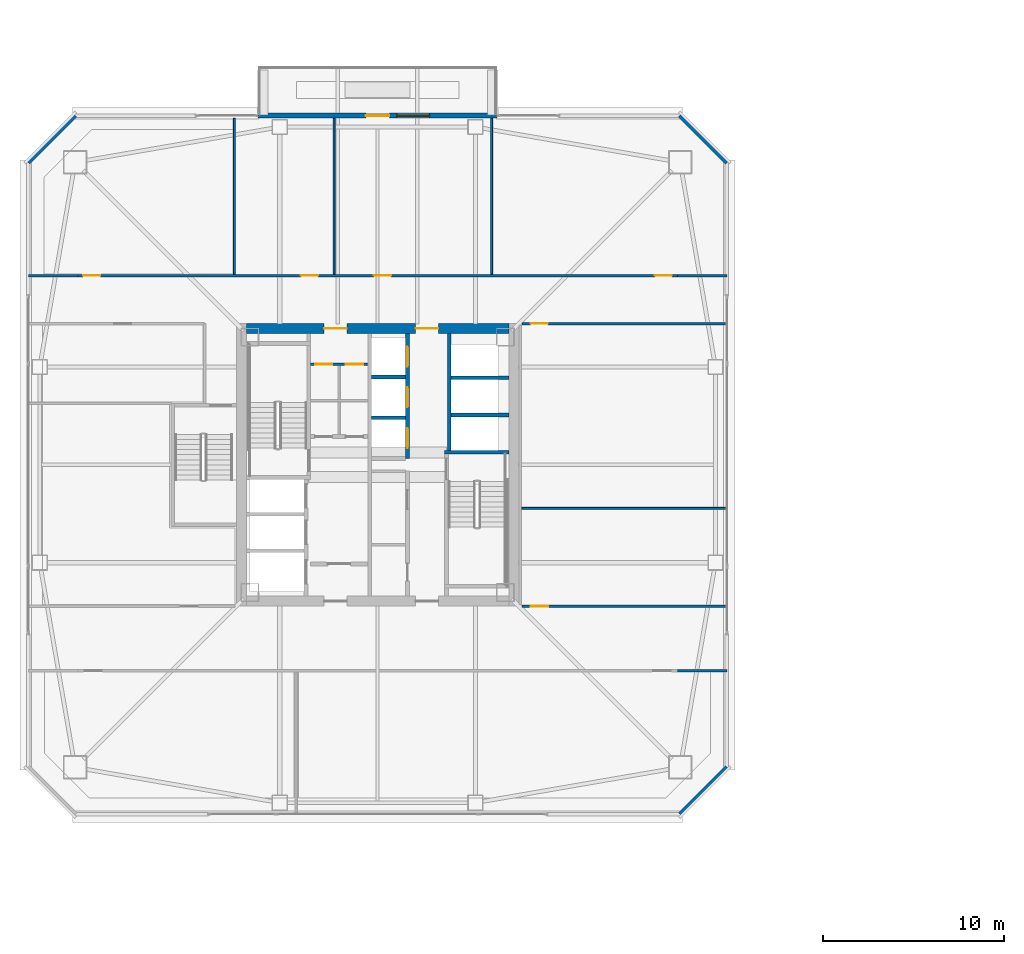
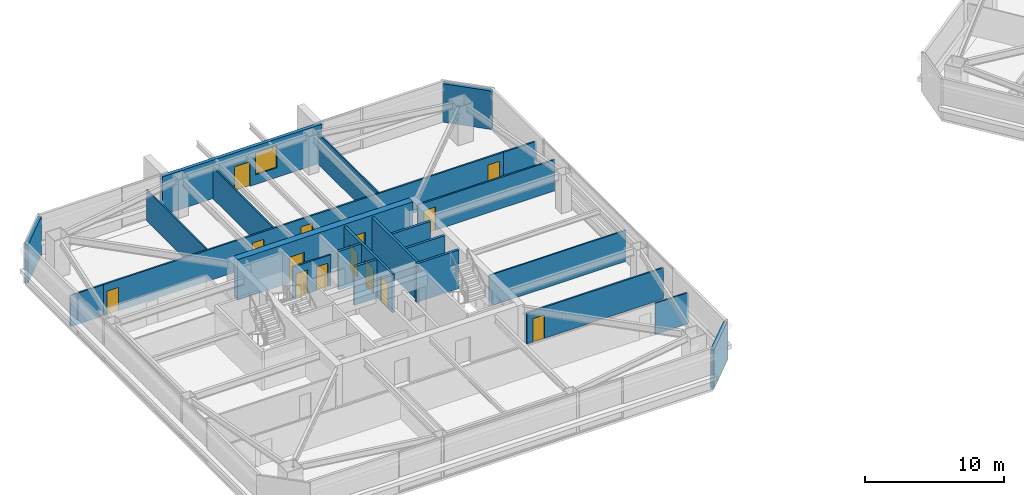
# One storey, part 31 of 41: 23 walls, 14 doors, 1 window, 15 openings.
"""IFC4 building model written with IfcOpenShell, lengths in metres."""

from ifc_helpers import new_model, si_unit, direction, frame, frame_2d, origin, place, context, subcontext, project, spatial, rectangle, extrude, material, layer, layer_set, type_object, element, fill, save


model = new_model("IFC4")

# Units and contexts
model_context = context("Model", 3, precision=1e-05, world=origin(), true_north=direction((0.0, 1.0)))
body_context = subcontext(model_context, "Body", "Model", "MODEL_VIEW")
ifc_project = project(units=[si_unit("LENGTHUNIT", "METRE"), si_unit("AREAUNIT", "SQUARE_METRE"), si_unit("VOLUMEUNIT", "CUBIC_METRE"), si_unit("PLANEANGLEUNIT", "RADIAN"), si_unit("MASSUNIT", "GRAM", prefix="KILO")], contexts=[model_context])

# Site, building, storey
site_placement = place(None, origin())
site = spatial("IfcSite", under=ifc_project, at=site_placement, CompositionType="ELEMENT")
building_placement = place(site_placement, origin())
building = spatial("IfcBuilding", under=site, at=building_placement, Name="Tashvorn Skyway Center", CompositionType="ELEMENT")
storey_placement = place(building_placement, frame((0.0, 0.0, 146.35009765625)))
storey = spatial("IfcBuildingStorey", under=building, at=storey_placement, Name="L39", CompositionType="ELEMENT", Elevation=146.35009765625)

# Wall, openings, doors
ifc_material_1 = material(Name="Concrete C60/75", Category="concrete")
ifc_layer_1 = layer(ifc_material_1, 0.550048828125)
ifc_layer_set_1 = layer_set([ifc_layer_1], Name="Concrete C60/75")
wall_type_1 = type_object("IfcWallType", Name="WALL-CORE-550", PredefinedType="SHEAR", material=ifc_layer_set_1)
wall_1_placement = place(storey_placement, frame((34.75, 39.52490234375, 0.0), z_axis=(0.0, 0.0, 1.0), x_axis=(1.0, 0.0, 0.0)))
wall_1 = element("IfcWall", 1, at=wall_1_placement, inside=storey, type_object=wall_type_1, Name="Tower 1 L39 North Core Shear Wall", PredefinedType="SHEAR", context=body_context, shape_type="SweptSolid", body=[
    extrude(rectangle(XDim=14.5, YDim=0.550048828125, at=frame_2d((7.25, 0.0))), origin(), (0.0, 0.0, 1.0), 3.5498046875),
])
opening_1_placement = place(wall_1_placement, frame((4.300048828125, 0.0, 0.0)))
opening_1 = element("IfcOpeningElement", 2, at=opening_1_placement, cuts=wall_1, Name="Opening D-FFL-1250", PredefinedType="OPENING", context=body_context, shape_type="SweptSolid", body=[
    extrude(rectangle(XDim=1.25, YDim=2.25, at=frame_2d((0.625, 1.125))), frame((0.0, 0.284912109375, 0.0), z_axis=(0.0, -1.0, 0.0), x_axis=(1.0, 0.0, 0.0)), (0.0, 0.0, 1.0), 0.570068359375),
])
opening_2_placement = place(wall_1_placement, frame((9.35009765625, 0.0, 0.0)))
opening_2 = element("IfcOpeningElement", 3, at=opening_2_placement, cuts=wall_1, Name="Opening D-FFL-1250", PredefinedType="OPENING", context=body_context, shape_type="SweptSolid", body=[
    extrude(rectangle(XDim=1.25, YDim=2.25, at=frame_2d((0.625, 1.125))), frame((0.0, 0.284912109375, 0.0), z_axis=(0.0, -1.0, 0.0), x_axis=(1.0, 0.0, 0.0)), (0.0, 0.0, 1.0), 0.570068359375),
])
ifc_material_2 = material(Name="Hollow galvanized steel fire door assembly", Category="steel")
door_type_1 = type_object("IfcDoorType", Name="DOOR-FFL-1250", OperationType="NOTDEFINED", PredefinedType="DOOR", material=ifc_material_2)
door_1_placement = place(opening_1_placement, origin())
door_1 = element("IfcDoor", 4, at=door_1_placement, inside=storey, type_object=door_type_1, Name="Tower 1 L39 Core North Service Lobby Door", OperationType="SINGLE_SWING_LEFT", OverallHeight=2.25, OverallWidth=1.25, PredefinedType="DOOR", context=body_context, shape_type="SweptSolid", body=[
    extrude(rectangle(XDim=1.25, YDim=2.25, at=frame_2d((0.625, 1.125))), frame((0.0, 0.02490234375, 0.0), z_axis=(0.0, -1.0, 0.0), x_axis=(1.0, 0.0, 0.0)), (0.0, 0.0, 1.0), 0.050048828125),
])
fill(opening_1, door_1)
door_2_placement = place(opening_2_placement, origin())
door_2 = element("IfcDoor", 5, at=door_2_placement, inside=storey, type_object=door_type_1, Name="Tower 1 L39 Core North Lift Lobby Door", OperationType="SINGLE_SWING_RIGHT", OverallHeight=2.25, OverallWidth=1.25, PredefinedType="DOOR", context=body_context, shape_type="SweptSolid", body=[
    extrude(rectangle(XDim=1.25, YDim=2.25, at=frame_2d((0.625, 1.125))), frame((0.0, 0.02490234375, 0.0), z_axis=(0.0, -1.0, 0.0), x_axis=(1.0, 0.0, 0.0)), (0.0, 0.0, 1.0), 0.050048828125),
])
fill(opening_2, door_2)

# Wall, openings, door, window
ifc_material_3 = material(Name="Precast concrete C40/50", Category="concrete")
ifc_layer_2 = layer(ifc_material_3, 0.280029296875)
ifc_layer_set_2 = layer_set([ifc_layer_2], Name="Precast concrete C40/50")
wall_type_2 = type_object("IfcWallType", Name="WALL-EXT-280", PredefinedType="SOLIDWALL", material=ifc_layer_set_2)
wall_2_placement = place(storey_placement, frame((35.39990234375, 51.280029296875, 0.0), z_axis=(0.0, 0.0, 1.0), x_axis=(1.0, 0.0, 0.0)))
wall_2 = element("IfcWall", 6, at=wall_2_placement, inside=storey, type_object=wall_type_2, Name="Tower 1 L39 North Sky Garden Loggia Wall", PredefinedType="SOLIDWALL", context=body_context, shape_type="SweptSolid", body=[
    extrude(rectangle(XDim=13.2001953125, YDim=0.280029296875, at=frame_2d((6.60009765625, 0.0))), origin(), (0.0, 0.0, 1.0), 3.369873046875),
])
opening_3_placement = place(wall_2_placement, frame((5.949951171875, 0.0, 0.0)))
opening_3 = element("IfcOpeningElement", 7, at=opening_3_placement, cuts=wall_2, Name="Opening D-TER-1300", PredefinedType="OPENING", context=body_context, shape_type="SweptSolid", body=[
    extrude(rectangle(XDim=1.300048828125, YDim=2.14990234375, at=frame_2d((0.64990234375, 1.074951171875))), frame((0.0, 0.14990234375, 0.0), z_axis=(0.0, -1.0, 0.0), x_axis=(1.0, 0.0, 0.0)), (0.0, 0.0, 1.0), 0.300048828125),
])
opening_4_placement = place(wall_2_placement, frame((7.66796875, 0.0, 0.85009765625)))
opening_4 = element("IfcOpeningElement", 8, at=opening_4_placement, cuts=wall_2, Name="Opening WIN-1800", PredefinedType="OPENING", context=body_context, shape_type="SweptSolid", body=[
    extrude(rectangle(XDim=1.800048828125, YDim=1.919921875, at=frame_2d((0.89990234375, 0.9599609375))), frame((0.0, 0.14990234375, 0.0), z_axis=(0.0, -1.0, 0.0), x_axis=(1.0, 0.0, 0.0)), (0.0, 0.0, 1.0), 0.300048828125),
])
ifc_material_4 = material(Name="Thermally broken bronze-anodized aluminium 6063-T6", Category="aluminium")
door_type_2 = type_object("IfcDoorType", Name="DOOR-TERR-1300", OperationType="NOTDEFINED", PredefinedType="DOOR", material=ifc_material_4)
door_3_placement = place(opening_3_placement, origin())
door_3 = element("IfcDoor", 9, at=door_3_placement, inside=storey, type_object=door_type_2, Name="Tower 1 L39 Sky Garden Access Door", OperationType="SINGLE_SWING_LEFT", OverallHeight=2.14990234375, OverallWidth=1.300048828125, PredefinedType="DOOR", context=body_context, shape_type="SweptSolid", body=[
    extrude(rectangle(XDim=1.300048828125, YDim=2.14990234375, at=frame_2d((0.64990234375, 1.074951171875))), frame((0.0, 0.02490234375, 0.0), z_axis=(0.0, -1.0, 0.0), x_axis=(1.0, 0.0, 0.0)), (0.0, 0.0, 1.0), 0.050048828125),
])
fill(opening_3, door_3)
ifc_material_5 = material(Name="Low-E solar-control double insulating safety glass", Category="glass")
window_type = type_object("IfcWindowType", Name="WIN-TERR-1800", PartitioningType="SINGLE_PANEL", PredefinedType="WINDOW", material=ifc_material_5)
window_placement = place(opening_4_placement, origin())
window = element("IfcWindow", 10, at=window_placement, inside=storey, type_object=window_type, Name="Tower 1 L39 Sky Garden Window", OverallHeight=1.919921875, OverallWidth=1.800048828125, PartitioningType="SINGLE_PANEL", PredefinedType="WINDOW", context=body_context, shape_type="SweptSolid", body=[
    extrude(rectangle(XDim=1.800048828125, YDim=1.919921875, at=frame_2d((0.89990234375, 0.9599609375))), frame((0.0, 0.030029296875, 0.0), z_axis=(0.0, -1.0, 0.0), x_axis=(1.0, 0.0, 0.0)), (0.0, 0.0, 1.0), 0.06005859375),
])
fill(opening_4, window)

# Walls
for number, where, z_axis, x_axis, name in (
    (11, (22.699951171875, 48.699951171875, 0.0), (0.0, 0.0, 1.0), (0.707106781187, 0.707106781187, 0.0), "Tower 1 L39 NW Precast Chamfer Wall"),
    (12, (58.699951171875, 51.300048828125, 0.0), (0.0, 0.0, 1.0), (0.707106781187, -0.707106781187, 0.0), "Tower 1 L39 NE Precast Chamfer Wall"),
    (13, (61.300048828125, 15.300048828125, 0.0), (0.0, 0.0, 1.0), (-0.707106781187, -0.707106781187, 0.0), "Tower 1 L39 SE Precast Chamfer Wall"),
):
    element("IfcWall", number, at=place(storey_placement, frame(where, z_axis=z_axis, x_axis=x_axis)), inside=storey, type_object=wall_type_2, Name=name, PredefinedType="SOLIDWALL", context=body_context, shape_type="SweptSolid", body=[
        extrude(rectangle(XDim=3.677001953125, YDim=0.280029296875, at=frame_2d((1.83837890625, 0.0))), origin(), (0.0, 0.0, 1.0), 3.369873046875),
    ])
ifc_material_6 = material(Name="Gypsum board on cold-formed steel stud framing", Category="steel")
ifc_layer_3 = layer(ifc_material_6, 0.110107421875)
ifc_layer_set_3 = layer_set([ifc_layer_3], Name="Gypsum board on cold-formed steel stud framing")
wall_type_3 = type_object("IfcWallType", Name="WALL-PART-110", PredefinedType="PARTITIONING", material=ifc_layer_set_3)
for number, where, z_axis, x_axis, name in (
    (14, (34.10009765625, 42.530029296875, 0.0), (0.0, 0.0, 1.0), (0.0, 1.0, 0.0), "Tower 1 L39 North Suite Partition 1"),
    (15, (39.60009765625, 42.530029296875, 0.0), (0.0, 0.0, 1.0), (0.0, 1.0, 0.0), "Tower 1 L39 North Suite Partition 2"),
    (16, (48.300048828125, 42.530029296875, 0.0), (0.0, 0.0, 1.0), (0.0, 1.0, 0.0), "Tower 1 L39 North Suite Partition 3"),
):
    element("IfcWall", number, at=place(storey_placement, frame(where, z_axis=z_axis, x_axis=x_axis)), inside=storey, type_object=wall_type_3, Name=name, PredefinedType="PARTITIONING", context=body_context, shape_type="SweptSolid", body=[
        extrude(rectangle(XDim=8.599853515625, YDim=0.110107421875, at=frame_2d((4.2998046875, 0.0))), origin(), (0.0, 0.0, 1.0), 2.722900390625),
    ])
wall_3_placement = place(storey_placement, frame((49.9599609375, 29.60009765625, 0.0), z_axis=(0.0, 0.0, 1.0), x_axis=(1.0, 0.0, 0.0)))
element("IfcWall", 17, at=wall_3_placement, inside=storey, type_object=wall_type_3, Name="Tower 1 L39 East Mid Partition", PredefinedType="PARTITIONING", context=body_context, shape_type="SweptSolid", body=[
    extrude(rectangle(XDim=11.320068359375, YDim=0.110107421875, at=frame_2d((5.66015625, 0.0))), origin(), (0.0, 0.0, 1.0), 2.722900390625),
])

# Wall, openings, doors
ifc_layer_4 = layer(ifc_material_6, 0.135009765625)
ifc_layer_set_4 = layer_set([ifc_layer_4], Name="Gypsum board on cold-formed steel stud framing")
wall_type_4 = type_object("IfcWallType", Name="WALL-PART-135", PredefinedType="PARTITIONING", material=ifc_layer_set_4)
wall_4_placement = place(storey_placement, frame((25.449951171875, 42.449951171875, 0.0), z_axis=(0.0, 0.0, 1.0), x_axis=(1.0, 0.0, 0.0)))
wall_4 = element("IfcWall", 18, at=wall_4_placement, inside=storey, type_object=wall_type_4, Name="Tower 1 L39 North Suite Wall", PredefinedType="PARTITIONING", context=body_context, shape_type="SweptSolid", body=[
    extrude(rectangle(XDim=33.10009765625, YDim=0.135009765625, at=frame_2d((16.550048828125, 0.0))), origin(), (0.0, 0.0, 1.0), 2.722900390625),
])
opening_5_placement = place(wall_4_placement, frame((0.300048828125, 0.0, 0.0)))
opening_5 = element("IfcOpeningElement", 19, at=opening_5_placement, cuts=wall_4, Name="Opening D-INT-950", PredefinedType="OPENING", context=body_context, shape_type="SweptSolid", body=[
    extrude(rectangle(XDim=0.949951171875, YDim=2.050048828125, at=frame_2d((0.47509765625, 1.02490234375))), frame((0.0, 0.077392578125, 0.0), z_axis=(0.0, -1.0, 0.0), x_axis=(1.0, 0.0, 0.0)), (0.0, 0.0, 1.0), 0.155029296875),
])
opening_6_placement = place(wall_4_placement, frame((12.314697265625, 0.0, 0.0)))
opening_6 = element("IfcOpeningElement", 20, at=opening_6_placement, cuts=wall_4, Name="Opening D-INT-950", PredefinedType="OPENING", context=body_context, shape_type="SweptSolid", body=[
    extrude(rectangle(XDim=0.949951171875, YDim=2.050048828125, at=frame_2d((0.47509765625, 1.02490234375))), frame((0.0, 0.077392578125, 0.0), z_axis=(0.0, -1.0, 0.0), x_axis=(1.0, 0.0, 0.0)), (0.0, 0.0, 1.0), 0.155029296875),
])
opening_7_placement = place(wall_4_placement, frame((16.34228515625, 0.0, 0.0)))
opening_7 = element("IfcOpeningElement", 21, at=opening_7_placement, cuts=wall_4, Name="Opening D-INT-950", PredefinedType="OPENING", context=body_context, shape_type="SweptSolid", body=[
    extrude(rectangle(XDim=0.949951171875, YDim=2.050048828125, at=frame_2d((0.47509765625, 1.02490234375))), frame((0.0, 0.077392578125, 0.0), z_axis=(0.0, -1.0, 0.0), x_axis=(1.0, 0.0, 0.0)), (0.0, 0.0, 1.0), 0.155029296875),
])
opening_8_placement = place(wall_4_placement, frame((31.85009765625, 0.0, 0.0)))
opening_8 = element("IfcOpeningElement", 22, at=opening_8_placement, cuts=wall_4, Name="Opening D-INT-950", PredefinedType="OPENING", context=body_context, shape_type="SweptSolid", body=[
    extrude(rectangle(XDim=0.949951171875, YDim=2.050048828125, at=frame_2d((0.47509765625, 1.02490234375))), frame((0.0, 0.077392578125, 0.0), z_axis=(0.0, -1.0, 0.0), x_axis=(1.0, 0.0, 0.0)), (0.0, 0.0, 1.0), 0.155029296875),
])
ifc_material_7 = material(Name="Solid-core architectural oak veneer door")
door_type_3 = type_object("IfcDoorType", Name="DOOR-INT-950", OperationType="NOTDEFINED", PredefinedType="DOOR", material=ifc_material_7)
door_4_placement = place(opening_5_placement, origin())
door_4 = element("IfcDoor", 23, at=door_4_placement, inside=storey, type_object=door_type_3, Name="Tower 1 L39 Gallery Showroom Door", OperationType="SINGLE_SWING_RIGHT", OverallHeight=2.050048828125, OverallWidth=0.949951171875, PredefinedType="DOOR", context=body_context, shape_type="SweptSolid", body=[
    extrude(rectangle(XDim=0.949951171875, YDim=2.050048828125, at=frame_2d((0.47509765625, 1.02490234375))), frame((0.0, 0.02490234375, 0.0), z_axis=(0.0, -1.0, 0.0), x_axis=(1.0, 0.0, 0.0)), (0.0, 0.0, 1.0), 0.050048828125),
])
fill(opening_5, door_4)
door_5_placement = place(opening_6_placement, origin())
door_5 = element("IfcDoor", 24, at=door_5_placement, inside=storey, type_object=door_type_3, Name="Tower 1 L39 Gallery Showroom Door", OperationType="SINGLE_SWING_LEFT", OverallHeight=2.050048828125, OverallWidth=0.949951171875, PredefinedType="DOOR", context=body_context, shape_type="SweptSolid", body=[
    extrude(rectangle(XDim=0.949951171875, YDim=2.050048828125, at=frame_2d((0.47509765625, 1.02490234375))), frame((0.0, 0.02490234375, 0.0), z_axis=(0.0, -1.0, 0.0), x_axis=(1.0, 0.0, 0.0)), (0.0, 0.0, 1.0), 0.050048828125),
])
fill(opening_6, door_5)
door_6_placement = place(opening_7_placement, origin())
door_6 = element("IfcDoor", 25, at=door_6_placement, inside=storey, type_object=door_type_3, Name="Tower 1 L39 Catering Pantry Door", OperationType="SINGLE_SWING_RIGHT", OverallHeight=2.050048828125, OverallWidth=0.949951171875, PredefinedType="DOOR", context=body_context, shape_type="SweptSolid", body=[
    extrude(rectangle(XDim=0.949951171875, YDim=2.050048828125, at=frame_2d((0.47509765625, 1.02490234375))), frame((0.0, 0.02490234375, 0.0), z_axis=(0.0, -1.0, 0.0), x_axis=(1.0, 0.0, 0.0)), (0.0, 0.0, 1.0), 0.050048828125),
])
fill(opening_7, door_6)
door_7_placement = place(opening_8_placement, origin())
door_7 = element("IfcDoor", 26, at=door_7_placement, inside=storey, type_object=door_type_3, Name="Tower 1 L39 Conference Room Door", OperationType="SINGLE_SWING_LEFT", OverallHeight=2.050048828125, OverallWidth=0.949951171875, PredefinedType="DOOR", context=body_context, shape_type="SweptSolid", body=[
    extrude(rectangle(XDim=0.949951171875, YDim=2.050048828125, at=frame_2d((0.47509765625, 1.02490234375))), frame((0.0, 0.02490234375, 0.0), z_axis=(0.0, -1.0, 0.0), x_axis=(1.0, 0.0, 0.0)), (0.0, 0.0, 1.0), 0.050048828125),
])
fill(opening_8, door_7)

# Walls
for number, where, z_axis, x_axis, name in (
    (27, (22.719970703125, 42.449951171875, 0.0), (0.0, 0.0, 1.0), (1.0, 0.0, 0.0), "Tower 1 L39 North-West Suite South Wall"),
    (28, (58.550048828125, 42.449951171875, 0.0), (0.0, 0.0, 1.0), (1.0, 0.0, 0.0), "Tower 1 L39 North-East Suite South Wall"),
    (29, (58.550048828125, 20.6298828125, 0.0), (0.0, 0.0, 1.0), (1.0, 0.0, 0.0), "Tower 1 L39 South-East Suite North Wall"),
):
    element("IfcWall", number, at=place(storey_placement, frame(where, z_axis=z_axis, x_axis=x_axis)), inside=storey, type_object=wall_type_4, Name=name, PredefinedType="PARTITIONING", context=body_context, shape_type="SweptSolid", body=[
        extrude(rectangle(XDim=2.72998046875, YDim=0.135009765625, at=frame_2d((1.364990234375, 0.0))), origin(), (0.0, 0.0, 1.0), 2.722900390625),
    ])

# Wall, opening, door
wall_5_placement = place(storey_placement, frame((61.280029296875, 39.800048828125, 0.0), z_axis=(0.0, 0.0, 1.0), x_axis=(-1.0, 0.0, 0.0)))
wall_5 = element("IfcWall", 30, at=wall_5_placement, inside=storey, type_object=wall_type_4, Name="Tower 1 L39 East Suite North Wall", PredefinedType="PARTITIONING", context=body_context, shape_type="SweptSolid", body=[
    extrude(rectangle(XDim=11.320068359375, YDim=0.135009765625, at=frame_2d((5.66015625, 0.0))), origin(), (0.0, 0.0, 1.0), 2.722900390625),
])
opening_9_placement = place(wall_5_placement, frame((9.8798828125, 0.0, 0.0)))
opening_9 = element("IfcOpeningElement", 31, at=opening_9_placement, cuts=wall_5, Name="Opening D-INT-950", PredefinedType="OPENING", context=body_context, shape_type="SweptSolid", body=[
    extrude(rectangle(XDim=0.949951171875, YDim=2.050048828125, at=frame_2d((0.47509765625, 1.02490234375))), frame((0.0, 0.077392578125, 0.0), z_axis=(0.0, -1.0, 0.0), x_axis=(1.0, 0.0, 0.0)), (0.0, 0.0, 1.0), 0.155029296875),
])
door_8_placement = place(opening_9_placement, origin())
door_8 = element("IfcDoor", 32, at=door_8_placement, inside=storey, type_object=door_type_3, Name="Tower 1 L39 Conference Room Door", OperationType="SINGLE_SWING_RIGHT", OverallHeight=2.050048828125, OverallWidth=0.949951171875, PredefinedType="DOOR", context=body_context, shape_type="SweptSolid", body=[
    extrude(rectangle(XDim=0.949951171875, YDim=2.050048828125, at=frame_2d((0.47509765625, 1.02490234375))), frame((0.0, 0.02490234375, 0.0), z_axis=(0.0, -1.0, 0.0), x_axis=(1.0, 0.0, 0.0)), (0.0, 0.0, 1.0), 0.050048828125),
])
fill(opening_9, door_8)

wall_6_placement = place(storey_placement, frame((49.9599609375, 24.199951171875, 0.0), z_axis=(0.0, 0.0, 1.0), x_axis=(1.0, 0.0, 0.0)))
wall_6 = element("IfcWall", 33, at=wall_6_placement, inside=storey, type_object=wall_type_4, Name="Tower 1 L39 East Suite South Wall", PredefinedType="PARTITIONING", context=body_context, shape_type="SweptSolid", body=[
    extrude(rectangle(XDim=11.320068359375, YDim=0.135009765625, at=frame_2d((5.66015625, 0.0))), origin(), (0.0, 0.0, 1.0), 2.722900390625),
])
opening_10_placement = place(wall_6_placement, frame((0.5, 0.0, 0.0)))
opening_10 = element("IfcOpeningElement", 34, at=opening_10_placement, cuts=wall_6, Name="Opening D-INT-950", PredefinedType="OPENING", context=body_context, shape_type="SweptSolid", body=[
    extrude(rectangle(XDim=0.949951171875, YDim=2.050048828125, at=frame_2d((0.47509765625, 1.02490234375))), frame((0.0, 0.077392578125, 0.0), z_axis=(0.0, -1.0, 0.0), x_axis=(1.0, 0.0, 0.0)), (0.0, 0.0, 1.0), 0.155029296875),
])
door_9_placement = place(opening_10_placement, origin())
door_9 = element("IfcDoor", 35, at=door_9_placement, inside=storey, type_object=door_type_3, Name="Tower 1 L39 Public Restroom Door", OperationType="SINGLE_SWING_LEFT", OverallHeight=2.050048828125, OverallWidth=0.949951171875, PredefinedType="DOOR", context=body_context, shape_type="SweptSolid", body=[
    extrude(rectangle(XDim=0.949951171875, YDim=2.050048828125, at=frame_2d((0.47509765625, 1.02490234375))), frame((0.0, 0.02490234375, 0.0), z_axis=(0.0, -1.0, 0.0), x_axis=(1.0, 0.0, 0.0)), (0.0, 0.0, 1.0), 0.050048828125),
])
fill(opening_10, door_9)

# Wall, openings, doors
ifc_layer_5 = layer(ifc_material_6, 0.135009765625)
ifc_layer_set_5 = layer_set([ifc_layer_5], Name="Gypsum board on cold-formed steel stud framing")
wall_type_5 = type_object("IfcWallType", Name="WALL-RATED-135", PredefinedType="PARTITIONING", material=ifc_layer_set_5)
wall_7_placement = place(storey_placement, frame((38.300048828125, 37.550048828125, 0.0), z_axis=(0.0, 0.0, 1.0), x_axis=(1.0, 0.0, 0.0)))
wall_7 = element("IfcWall", 36, at=wall_7_placement, inside=storey, type_object=wall_type_5, Name="Tower 1 L39 Core Service Lobby Wall", PredefinedType="PARTITIONING", context=body_context, shape_type="SweptSolid", body=[
    extrude(rectangle(XDim=3.14990234375, YDim=0.135009765625, at=frame_2d((1.574951171875, 0.0))), origin(), (0.0, 0.0, 1.0), 2.722900390625),
])
opening_11_placement = place(wall_7_placement, frame((0.25, 0.0, 0.0)))
opening_11 = element("IfcOpeningElement", 37, at=opening_11_placement, cuts=wall_7, Name="Opening D-RT-950", PredefinedType="OPENING", context=body_context, shape_type="SweptSolid", body=[
    extrude(rectangle(XDim=0.949951171875, YDim=2.050048828125, at=frame_2d((0.47509765625, 1.02490234375))), frame((0.0, 0.077392578125, 0.0), z_axis=(0.0, -1.0, 0.0), x_axis=(1.0, 0.0, 0.0)), (0.0, 0.0, 1.0), 0.155029296875),
])
opening_12_placement = place(wall_7_placement, frame((1.949951171875, 0.0, 0.0)))
opening_12 = element("IfcOpeningElement", 38, at=opening_12_placement, cuts=wall_7, Name="Opening D-RT-950", PredefinedType="OPENING", context=body_context, shape_type="SweptSolid", body=[
    extrude(rectangle(XDim=0.949951171875, YDim=2.050048828125, at=frame_2d((0.47509765625, 1.02490234375))), frame((0.0, 0.077392578125, 0.0), z_axis=(0.0, -1.0, 0.0), x_axis=(1.0, 0.0, 0.0)), (0.0, 0.0, 1.0), 0.155029296875),
])
door_type_4 = type_object("IfcDoorType", Name="DOOR-RATED-950", OperationType="NOTDEFINED", PredefinedType="DOOR", material=ifc_material_2)
door_10_placement = place(opening_11_placement, origin())
door_10 = element("IfcDoor", 39, at=door_10_placement, inside=storey, type_object=door_type_4, Name="Tower 1 L39 Core Cleaner Store Door", OperationType="SINGLE_SWING_LEFT", OverallHeight=2.050048828125, OverallWidth=0.949951171875, PredefinedType="DOOR", context=body_context, shape_type="SweptSolid", body=[
    extrude(rectangle(XDim=0.949951171875, YDim=2.050048828125, at=frame_2d((0.47509765625, 1.02490234375))), frame((0.0, 0.02490234375, 0.0), z_axis=(0.0, -1.0, 0.0), x_axis=(1.0, 0.0, 0.0)), (0.0, 0.0, 1.0), 0.050048828125),
])
fill(opening_11, door_10)
door_11_placement = place(opening_12_placement, origin())
door_11 = element("IfcDoor", 40, at=door_11_placement, inside=storey, type_object=door_type_4, Name="Tower 1 L39 Core Accessible WC Door", OperationType="SINGLE_SWING_RIGHT", OverallHeight=2.050048828125, OverallWidth=0.949951171875, PredefinedType="DOOR", context=body_context, shape_type="SweptSolid", body=[
    extrude(rectangle(XDim=0.949951171875, YDim=2.050048828125, at=frame_2d((0.47509765625, 1.02490234375))), frame((0.0, 0.02490234375, 0.0), z_axis=(0.0, -1.0, 0.0), x_axis=(1.0, 0.0, 0.0)), (0.0, 0.0, 1.0), 0.050048828125),
])
fill(opening_12, door_11)

# Walls
ifc_material_8 = material(Name="Concrete C40/50", Category="concrete")
ifc_layer_6 = layer(ifc_material_8, 0.199951171875)
ifc_layer_set_6 = layer_set([ifc_layer_6], Name="Concrete C40/50")
wall_type_6 = type_object("IfcWallType", Name="WALL-SHAFT-200", PredefinedType="SOLIDWALL", material=ifc_layer_set_6)
for number, where, z_axis, x_axis, name in (
    (41, (46.050048828125, 34.75, 0.0), (0.0, 0.0, 1.0), (1.0, 0.0, 0.0), "Tower 1 L39 High-Rise Shaft Divider"),
    (42, (46.050048828125, 36.800048828125, 0.0), (0.0, 0.0, 1.0), (1.0, 0.0, 0.0), "Tower 1 L39 High-Rise Shaft Divider"),
):
    element("IfcWall", number, at=place(storey_placement, frame(where, z_axis=z_axis, x_axis=x_axis)), inside=storey, type_object=wall_type_6, Name=name, PredefinedType="SOLIDWALL", context=body_context, shape_type="SweptSolid", body=[
        extrude(rectangle(XDim=3.199951171875, YDim=0.199951171875, at=frame_2d((1.60009765625, 0.0))), origin(), (0.0, 0.0, 1.0), 3.369873046875),
    ])

# Wall, openings, doors
wall_8_placement = place(storey_placement, frame((43.64990234375, 32.35009765625, 0.0), z_axis=(0.0, 0.0, 1.0), x_axis=(0.0, 1.0, 0.0)))
wall_8 = element("IfcWall", 43, at=wall_8_placement, inside=storey, type_object=wall_type_6, Name="Tower 1 L39 Mid-Rise Core Wall", PredefinedType="SOLIDWALL", context=body_context, shape_type="SweptSolid", body=[
    extrude(rectangle(XDim=6.89990234375, YDim=0.199951171875, at=frame_2d((3.449951171875, 0.0))), origin(), (0.0, 0.0, 1.0), 3.369873046875),
])
opening_13_placement = place(wall_8_placement, frame((0.574951171875, 0.0, 0.0)))
opening_13 = element("IfcOpeningElement", 44, at=opening_13_placement, cuts=wall_8, Name="Opening LD-MR-T1-1-L39", PredefinedType="OPENING", context=body_context, shape_type="SweptSolid", body=[
    extrude(rectangle(XDim=1.10009765625, YDim=2.199951171875, at=frame_2d((0.550048828125, 1.10009765625))), frame((0.0, 0.10986328125, 0.0), z_axis=(0.0, -1.0, 0.0), x_axis=(1.0, 0.0, 0.0)), (0.0, 0.0, 1.0), 0.219970703125),
])
opening_14_placement = place(wall_8_placement, frame((2.824951171875, 0.0, 0.0)))
opening_14 = element("IfcOpeningElement", 45, at=opening_14_placement, cuts=wall_8, Name="Opening LD-MR-T1-2-L39", PredefinedType="OPENING", context=body_context, shape_type="SweptSolid", body=[
    extrude(rectangle(XDim=1.10009765625, YDim=2.199951171875, at=frame_2d((0.550048828125, 1.10009765625))), frame((0.0, 0.10986328125, 0.0), z_axis=(0.0, -1.0, 0.0), x_axis=(1.0, 0.0, 0.0)), (0.0, 0.0, 1.0), 0.219970703125),
])
opening_15_placement = place(wall_8_placement, frame((5.074951171875, 0.0, 0.0)))
opening_15 = element("IfcOpeningElement", 46, at=opening_15_placement, cuts=wall_8, Name="Opening LD-MR-T1-3-L39", PredefinedType="OPENING", context=body_context, shape_type="SweptSolid", body=[
    extrude(rectangle(XDim=1.10009765625, YDim=2.199951171875, at=frame_2d((0.550048828125, 1.10009765625))), frame((0.0, 0.10986328125, 0.0), z_axis=(0.0, -1.0, 0.0), x_axis=(1.0, 0.0, 0.0)), (0.0, 0.0, 1.0), 0.219970703125),
])
ifc_material_9 = material(Name="Stainless steel landing door", Category="steel")
door_type_5 = type_object("IfcDoorType", Name="DOOR-LIFT-1100", OperationType="SLIDING_TO_LEFT", PredefinedType="DOOR", material=ifc_material_9)
door_12_placement = place(opening_13_placement, origin())
door_12 = element("IfcDoor", 47, at=door_12_placement, inside=storey, type_object=door_type_5, Name="Lift MR-T1-1 L39 Landing Door", OperationType="SLIDING_TO_LEFT", OverallHeight=2.199951171875, OverallWidth=1.10009765625, PredefinedType="DOOR", context=body_context, shape_type="SweptSolid", body=[
    extrude(rectangle(XDim=1.10009765625, YDim=2.199951171875, at=frame_2d((0.550048828125, 1.10009765625))), frame((0.0, 0.02490234375, 0.0), z_axis=(0.0, -1.0, 0.0), x_axis=(1.0, 0.0, 0.0)), (0.0, 0.0, 1.0), 0.050048828125),
])
fill(opening_13, door_12)
door_13_placement = place(opening_14_placement, origin())
door_13 = element("IfcDoor", 48, at=door_13_placement, inside=storey, type_object=door_type_5, Name="Lift MR-T1-2 L39 Landing Door", OperationType="SLIDING_TO_LEFT", OverallHeight=2.199951171875, OverallWidth=1.10009765625, PredefinedType="DOOR", context=body_context, shape_type="SweptSolid", body=[
    extrude(rectangle(XDim=1.10009765625, YDim=2.199951171875, at=frame_2d((0.550048828125, 1.10009765625))), frame((0.0, 0.02490234375, 0.0), z_axis=(0.0, -1.0, 0.0), x_axis=(1.0, 0.0, 0.0)), (0.0, 0.0, 1.0), 0.050048828125),
])
fill(opening_14, door_13)
door_14_placement = place(opening_15_placement, origin())
door_14 = element("IfcDoor", 49, at=door_14_placement, inside=storey, type_object=door_type_5, Name="Lift MR-T1-3 L39 Landing Door", OperationType="SLIDING_TO_LEFT", OverallHeight=2.199951171875, OverallWidth=1.10009765625, PredefinedType="DOOR", context=body_context, shape_type="SweptSolid", body=[
    extrude(rectangle(XDim=1.10009765625, YDim=2.199951171875, at=frame_2d((0.550048828125, 1.10009765625))), frame((0.0, 0.02490234375, 0.0), z_axis=(0.0, -1.0, 0.0), x_axis=(1.0, 0.0, 0.0)), (0.0, 0.0, 1.0), 0.050048828125),
])
fill(opening_15, door_14)

# Walls
for number, where, z_axis, x_axis, name in (
    (50, (41.669921875, 34.60009765625, 0.0), (0.0, 0.0, 1.0), (1.0, 0.0, 0.0), "Tower 1 L39 Mid-Rise Shaft Divider"),
    (51, (41.669921875, 36.85009765625, 0.0), (0.0, 0.0, 1.0), (1.0, 0.0, 0.0), "Tower 1 L39 Mid-Rise Shaft Divider"),
):
    element("IfcWall", number, at=place(storey_placement, frame(where, z_axis=z_axis, x_axis=x_axis)), inside=storey, type_object=wall_type_6, Name=name, PredefinedType="SOLIDWALL", context=body_context, shape_type="SweptSolid", body=[
        extrude(rectangle(XDim=1.880126953125, YDim=0.199951171875, at=frame_2d((0.93994140625, 0.0))), origin(), (0.0, 0.0, 1.0), 3.369873046875),
    ])
ifc_layer_7 = layer(ifc_material_8, 0.199951171875)
ifc_layer_set_7 = layer_set([ifc_layer_7], Name="Concrete C40/50")
wall_type_7 = type_object("IfcWallType", Name="WALL-STSHF-200", PredefinedType="SHEAR", material=ifc_layer_set_7)
wall_9_placement = place(storey_placement, frame((45.699951171875, 32.699951171875, 0.0), z_axis=(0.0, 0.0, 1.0), x_axis=(1.0, 0.0, 0.0)))
element("IfcWall", 52, at=wall_9_placement, inside=storey, type_object=wall_type_7, Name="Tower 1 L39 Stair 2 North Wall", PredefinedType="SHEAR", context=body_context, shape_type="SweptSolid", body=[
    extrude(rectangle(XDim=3.550048828125, YDim=0.199951171875, at=frame_2d((1.77490234375, 0.0))), origin(), (0.0, 0.0, 1.0), 3.369873046875),
])
wall_10_placement = place(storey_placement, frame((45.949951171875, 39.25, 0.0), z_axis=(0.0, 0.0, 1.0), x_axis=(0.0, -1.0, 0.0)))
element("IfcWall", 53, at=wall_10_placement, inside=storey, type_object=wall_type_7, Name="Tower 1 L39 High-Rise Lift Shaft Front Wall", PredefinedType="SHEAR", context=body_context, shape_type="SweptSolid", body=[
    extrude(rectangle(XDim=6.449951171875, YDim=0.199951171875, at=frame_2d((3.22509765625, 0.0))), origin(), (0.0, 0.0, 1.0), 3.369873046875),
])

save(model, "model.ifc")
